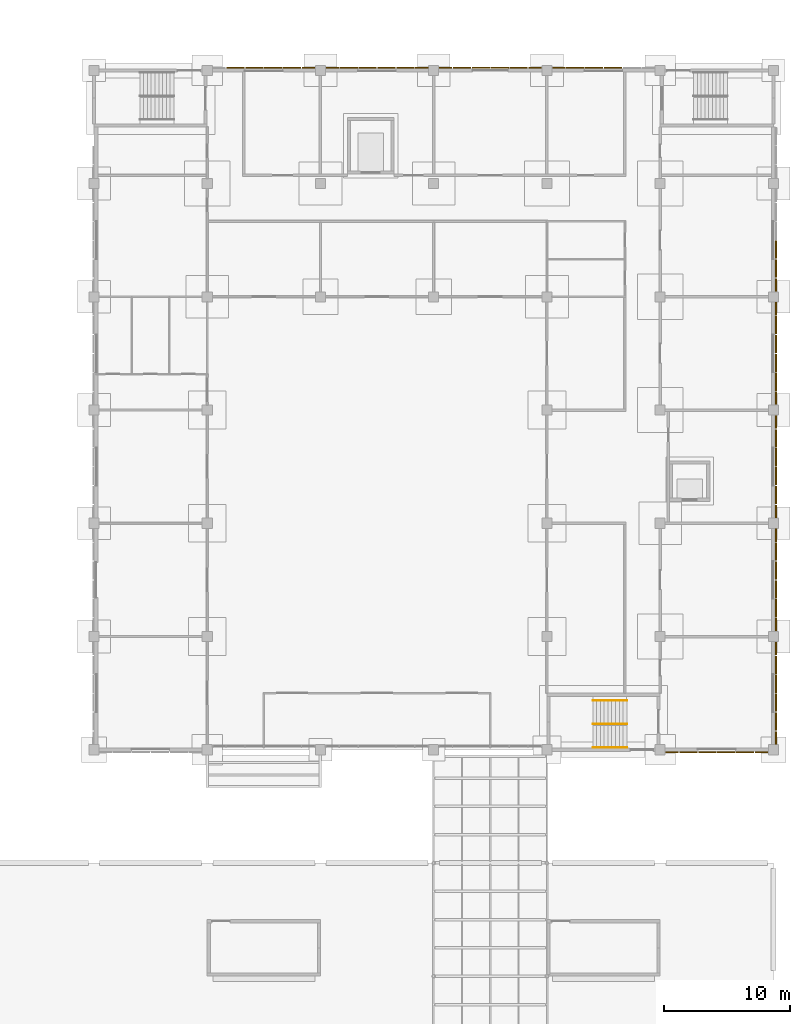
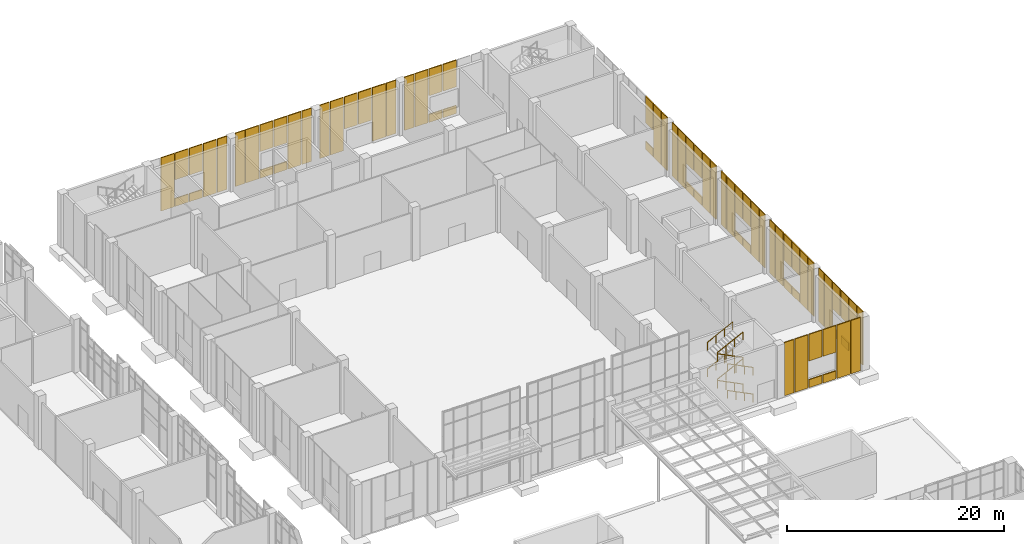
# One storey, part 83 of 86: 71 coverings, 8 railings.
"""IFC4 building model written with IfcOpenShell, lengths in metres."""

from ifc_helpers import new_model, si_unit, direction, frame, origin, origin_2d, place, context, subcontext, project, spatial, rectangle, circle, extrude, material, layer, layer_set, type_object, element, save


model = new_model("IFC4")

# Units and contexts
model_context = context("Model", 3, precision=1e-05, world=origin(), true_north=direction((0.0, 1.0)))
body_context = subcontext(model_context, "Body", "Model", "MODEL_VIEW")
ifc_project = project(units=[si_unit("LENGTHUNIT", "METRE"), si_unit("AREAUNIT", "SQUARE_METRE"), si_unit("VOLUMEUNIT", "CUBIC_METRE"), si_unit("PLANEANGLEUNIT", "RADIAN"), si_unit("MASSUNIT", "GRAM", prefix="KILO")], contexts=[model_context])

# Site, building, storey
site_placement = place(None, origin())
site = spatial("IfcSite", under=ifc_project, at=site_placement, CompositionType="ELEMENT")
building_placement = place(site_placement, origin())
building = spatial("IfcBuilding", under=site, at=building_placement, Name="Guidao Yard Department Store", CompositionType="ELEMENT")
storey_placement = place(building_placement, origin())
storey = spatial("IfcBuildingStorey", under=building, at=storey_placement, Name="L00", CompositionType="ELEMENT", Elevation=0.0)

# Coverings
ifc_material_1 = material(Name="Clinker brick", Category="masonry")
ifc_layer = layer(ifc_material_1, 0.10009765625)
ifc_layer_set = layer_set([ifc_layer], Name="Clinker brick panel BR1 on rainscreen")
covering_type = type_object("IfcCoveringType", Name="Clinker brick panel BR1 on rainscreen", PredefinedType="CLADDING", material=ifc_layer_set)
covering_1_placement = place(storey_placement, frame((162.949951171875, 53.800048828125, 0.0), z_axis=(0.0, 0.0, 1.0), x_axis=(-1.0, 0.0, 0.0)))
element("IfcCovering", 1, at=covering_1_placement, inside=storey, type_object=covering_type, Name="Clinker brick panel", PredefinedType="CLADDING", context=body_context, shape_type="SweptSolid", body=[
    extrude(rectangle(XDim=1.0, YDim=0.10009765625, at=origin_2d()), origin(), (0.0, 0.0, 1.0), 6.0),
])
covering_2_placement = place(storey_placement, frame((164.25, 53.800048828125, 0.0), z_axis=(0.0, 0.0, 1.0), x_axis=(-1.0, 0.0, 0.0)))
element("IfcCovering", 2, at=covering_2_placement, inside=storey, type_object=covering_type, Name="Clinker brick panel", PredefinedType="CLADDING", context=body_context, shape_type="SweptSolid", body=[
    extrude(rectangle(XDim=1.39990234375, YDim=0.10009765625, at=origin_2d()), origin(), (0.0, 0.0, 1.0), 6.0),
])
covering_3_placement = place(storey_placement, frame((165.75, 53.800048828125, 0.0), z_axis=(0.0, 0.0, 1.0), x_axis=(-1.0, 0.0, 0.0)))
element("IfcCovering", 3, at=covering_3_placement, inside=storey, type_object=covering_type, Name="Clinker brick panel", PredefinedType="CLADDING", context=body_context, shape_type="SweptSolid", body=[
    extrude(rectangle(XDim=1.39990234375, YDim=0.10009765625, at=origin_2d()), origin(), (0.0, 0.0, 1.0), 0.89990234375),
])
covering_4_placement = place(storey_placement, frame((165.75, 53.800048828125, 3.0), z_axis=(0.0, 0.0, 1.0), x_axis=(-1.0, 0.0, 0.0)))
element("IfcCovering", 4, at=covering_4_placement, inside=storey, type_object=covering_type, Name="Clinker brick panel", PredefinedType="CLADDING", context=body_context, shape_type="SweptSolid", body=[
    extrude(rectangle(XDim=1.39990234375, YDim=0.10009765625, at=origin_2d()), origin(), (0.0, 0.0, 1.0), 3.0),
])
covering_5_placement = place(storey_placement, frame((167.25, 53.800048828125, 0.0), z_axis=(0.0, 0.0, 1.0), x_axis=(-1.0, 0.0, 0.0)))
element("IfcCovering", 5, at=covering_5_placement, inside=storey, type_object=covering_type, Name="Clinker brick panel", PredefinedType="CLADDING", context=body_context, shape_type="SweptSolid", body=[
    extrude(rectangle(XDim=1.39990234375, YDim=0.10009765625, at=origin_2d()), origin(), (0.0, 0.0, 1.0), 0.89990234375),
])
covering_6_placement = place(storey_placement, frame((167.25, 53.800048828125, 3.0), z_axis=(0.0, 0.0, 1.0), x_axis=(-1.0, 0.0, 0.0)))
element("IfcCovering", 6, at=covering_6_placement, inside=storey, type_object=covering_type, Name="Clinker brick panel", PredefinedType="CLADDING", context=body_context, shape_type="SweptSolid", body=[
    extrude(rectangle(XDim=1.39990234375, YDim=0.10009765625, at=origin_2d()), origin(), (0.0, 0.0, 1.0), 3.0),
])
covering_7_placement = place(storey_placement, frame((168.75, 53.800048828125, 0.0), z_axis=(0.0, 0.0, 1.0), x_axis=(-1.0, 0.0, 0.0)))
element("IfcCovering", 7, at=covering_7_placement, inside=storey, type_object=covering_type, Name="Clinker brick panel", PredefinedType="CLADDING", context=body_context, shape_type="SweptSolid", body=[
    extrude(rectangle(XDim=1.39990234375, YDim=0.10009765625, at=origin_2d()), origin(), (0.0, 0.0, 1.0), 6.0),
])
covering_8_placement = place(storey_placement, frame((170.050048828125, 53.800048828125, 0.0), z_axis=(0.0, 0.0, 1.0), x_axis=(-1.0, 0.0, 0.0)))
element("IfcCovering", 8, at=covering_8_placement, inside=storey, type_object=covering_type, Name="Clinker brick panel", PredefinedType="CLADDING", context=body_context, shape_type="SweptSolid", body=[
    extrude(rectangle(XDim=1.0, YDim=0.10009765625, at=origin_2d()), origin(), (0.0, 0.0, 1.0), 6.0),
])
covering_9_placement = place(storey_placement, frame((128.25, 108.199951171875, 0.0), z_axis=(0.0, 0.0, 1.0), x_axis=(1.0, 0.0, 0.0)))
element("IfcCovering", 9, at=covering_9_placement, inside=storey, type_object=covering_type, Name="Clinker brick panel", PredefinedType="CLADDING", context=body_context, shape_type="SweptSolid", body=[
    extrude(rectangle(XDim=1.39990234375, YDim=0.10009765625, at=origin_2d()), origin(), (0.0, 0.0, 1.0), 6.0),
])
covering_10_placement = place(storey_placement, frame((129.75, 108.199951171875, 0.0), z_axis=(0.0, 0.0, 1.0), x_axis=(1.0, 0.0, 0.0)))
element("IfcCovering", 10, at=covering_10_placement, inside=storey, type_object=covering_type, Name="Clinker brick panel", PredefinedType="CLADDING", context=body_context, shape_type="SweptSolid", body=[
    extrude(rectangle(XDim=1.39990234375, YDim=0.10009765625, at=origin_2d()), origin(), (0.0, 0.0, 1.0), 0.89990234375),
])
covering_11_placement = place(storey_placement, frame((129.75, 108.199951171875, 3.0), z_axis=(0.0, 0.0, 1.0), x_axis=(1.0, 0.0, 0.0)))
element("IfcCovering", 11, at=covering_11_placement, inside=storey, type_object=covering_type, Name="Clinker brick panel", PredefinedType="CLADDING", context=body_context, shape_type="SweptSolid", body=[
    extrude(rectangle(XDim=1.39990234375, YDim=0.10009765625, at=origin_2d()), origin(), (0.0, 0.0, 1.0), 3.0),
])
covering_12_placement = place(storey_placement, frame((131.25, 108.199951171875, 0.0), z_axis=(0.0, 0.0, 1.0), x_axis=(1.0, 0.0, 0.0)))
element("IfcCovering", 12, at=covering_12_placement, inside=storey, type_object=covering_type, Name="Clinker brick panel", PredefinedType="CLADDING", context=body_context, shape_type="SweptSolid", body=[
    extrude(rectangle(XDim=1.39990234375, YDim=0.10009765625, at=origin_2d()), origin(), (0.0, 0.0, 1.0), 0.89990234375),
])
covering_13_placement = place(storey_placement, frame((131.25, 108.199951171875, 3.0), z_axis=(0.0, 0.0, 1.0), x_axis=(1.0, 0.0, 0.0)))
element("IfcCovering", 13, at=covering_13_placement, inside=storey, type_object=covering_type, Name="Clinker brick panel", PredefinedType="CLADDING", context=body_context, shape_type="SweptSolid", body=[
    extrude(rectangle(XDim=1.39990234375, YDim=0.10009765625, at=origin_2d()), origin(), (0.0, 0.0, 1.0), 3.0),
])
covering_14_placement = place(storey_placement, frame((132.75, 108.199951171875, 0.0), z_axis=(0.0, 0.0, 1.0), x_axis=(1.0, 0.0, 0.0)))
element("IfcCovering", 14, at=covering_14_placement, inside=storey, type_object=covering_type, Name="Clinker brick panel", PredefinedType="CLADDING", context=body_context, shape_type="SweptSolid", body=[
    extrude(rectangle(XDim=1.39990234375, YDim=0.10009765625, at=origin_2d()), origin(), (0.0, 0.0, 1.0), 6.0),
])
for number, where, z_axis, x_axis, name in (
    (15, (134.050048828125, 108.199951171875, 0.0), (0.0, 0.0, 1.0), (1.0, 0.0, 0.0), "Clinker brick panel"),
    (16, (135.949951171875, 108.199951171875, 0.0), (0.0, 0.0, 1.0), (1.0, 0.0, 0.0), "Clinker brick panel"),
):
    element("IfcCovering", number, at=place(storey_placement, frame(where, z_axis=z_axis, x_axis=x_axis)), inside=storey, type_object=covering_type, Name=name, PredefinedType="CLADDING", context=body_context, shape_type="SweptSolid", body=[
        extrude(rectangle(XDim=1.0, YDim=0.10009765625, at=origin_2d()), origin(), (0.0, 0.0, 1.0), 6.0),
    ])
covering_15_placement = place(storey_placement, frame((137.25, 108.199951171875, 0.0), z_axis=(0.0, 0.0, 1.0), x_axis=(1.0, 0.0, 0.0)))
element("IfcCovering", 17, at=covering_15_placement, inside=storey, type_object=covering_type, Name="Clinker brick panel", PredefinedType="CLADDING", context=body_context, shape_type="SweptSolid", body=[
    extrude(rectangle(XDim=1.39990234375, YDim=0.10009765625, at=origin_2d()), origin(), (0.0, 0.0, 1.0), 6.0),
])
covering_16_placement = place(storey_placement, frame((138.75, 108.199951171875, 0.0), z_axis=(0.0, 0.0, 1.0), x_axis=(1.0, 0.0, 0.0)))
element("IfcCovering", 18, at=covering_16_placement, inside=storey, type_object=covering_type, Name="Clinker brick panel", PredefinedType="CLADDING", context=body_context, shape_type="SweptSolid", body=[
    extrude(rectangle(XDim=1.39990234375, YDim=0.10009765625, at=origin_2d()), origin(), (0.0, 0.0, 1.0), 0.89990234375),
])
covering_17_placement = place(storey_placement, frame((138.75, 108.199951171875, 3.0), z_axis=(0.0, 0.0, 1.0), x_axis=(1.0, 0.0, 0.0)))
element("IfcCovering", 19, at=covering_17_placement, inside=storey, type_object=covering_type, Name="Clinker brick panel", PredefinedType="CLADDING", context=body_context, shape_type="SweptSolid", body=[
    extrude(rectangle(XDim=1.39990234375, YDim=0.10009765625, at=origin_2d()), origin(), (0.0, 0.0, 1.0), 3.0),
])
covering_18_placement = place(storey_placement, frame((140.25, 108.199951171875, 0.0), z_axis=(0.0, 0.0, 1.0), x_axis=(1.0, 0.0, 0.0)))
element("IfcCovering", 20, at=covering_18_placement, inside=storey, type_object=covering_type, Name="Clinker brick panel", PredefinedType="CLADDING", context=body_context, shape_type="SweptSolid", body=[
    extrude(rectangle(XDim=1.39990234375, YDim=0.10009765625, at=origin_2d()), origin(), (0.0, 0.0, 1.0), 0.89990234375),
])
covering_19_placement = place(storey_placement, frame((140.25, 108.199951171875, 3.0), z_axis=(0.0, 0.0, 1.0), x_axis=(1.0, 0.0, 0.0)))
element("IfcCovering", 21, at=covering_19_placement, inside=storey, type_object=covering_type, Name="Clinker brick panel", PredefinedType="CLADDING", context=body_context, shape_type="SweptSolid", body=[
    extrude(rectangle(XDim=1.39990234375, YDim=0.10009765625, at=origin_2d()), origin(), (0.0, 0.0, 1.0), 3.0),
])
covering_20_placement = place(storey_placement, frame((141.75, 108.199951171875, 0.0), z_axis=(0.0, 0.0, 1.0), x_axis=(1.0, 0.0, 0.0)))
element("IfcCovering", 22, at=covering_20_placement, inside=storey, type_object=covering_type, Name="Clinker brick panel", PredefinedType="CLADDING", context=body_context, shape_type="SweptSolid", body=[
    extrude(rectangle(XDim=1.39990234375, YDim=0.10009765625, at=origin_2d()), origin(), (0.0, 0.0, 1.0), 6.0),
])
for number, where, z_axis, x_axis, name in (
    (23, (143.050048828125, 108.199951171875, 0.0), (0.0, 0.0, 1.0), (1.0, 0.0, 0.0), "Clinker brick panel"),
    (24, (144.949951171875, 108.199951171875, 0.0), (0.0, 0.0, 1.0), (1.0, 0.0, 0.0), "Clinker brick panel"),
):
    element("IfcCovering", number, at=place(storey_placement, frame(where, z_axis=z_axis, x_axis=x_axis)), inside=storey, type_object=covering_type, Name=name, PredefinedType="CLADDING", context=body_context, shape_type="SweptSolid", body=[
        extrude(rectangle(XDim=1.0, YDim=0.10009765625, at=origin_2d()), origin(), (0.0, 0.0, 1.0), 6.0),
    ])
covering_21_placement = place(storey_placement, frame((146.25, 108.199951171875, 0.0), z_axis=(0.0, 0.0, 1.0), x_axis=(1.0, 0.0, 0.0)))
element("IfcCovering", 25, at=covering_21_placement, inside=storey, type_object=covering_type, Name="Clinker brick panel", PredefinedType="CLADDING", context=body_context, shape_type="SweptSolid", body=[
    extrude(rectangle(XDim=1.39990234375, YDim=0.10009765625, at=origin_2d()), origin(), (0.0, 0.0, 1.0), 6.0),
])
for number, where, z_axis, x_axis, name in (
    (26, (147.75, 108.199951171875, 2.39990234375), (0.0, 0.0, 1.0), (1.0, 0.0, 0.0), "Clinker brick panel"),
    (27, (149.25, 108.199951171875, 2.39990234375), (0.0, 0.0, 1.0), (1.0, 0.0, 0.0), "Clinker brick panel"),
):
    element("IfcCovering", number, at=place(storey_placement, frame(where, z_axis=z_axis, x_axis=x_axis)), inside=storey, type_object=covering_type, Name=name, PredefinedType="CLADDING", context=body_context, shape_type="SweptSolid", body=[
        extrude(rectangle(XDim=1.39990234375, YDim=0.10009765625, at=origin_2d()), origin(), (0.0, 0.0, 1.0), 3.60009765625),
    ])
covering_22_placement = place(storey_placement, frame((150.75, 108.199951171875, 0.0), z_axis=(0.0, 0.0, 1.0), x_axis=(1.0, 0.0, 0.0)))
element("IfcCovering", 28, at=covering_22_placement, inside=storey, type_object=covering_type, Name="Clinker brick panel", PredefinedType="CLADDING", context=body_context, shape_type="SweptSolid", body=[
    extrude(rectangle(XDim=1.39990234375, YDim=0.10009765625, at=origin_2d()), origin(), (0.0, 0.0, 1.0), 6.0),
])
for number, where, z_axis, x_axis, name in (
    (29, (152.050048828125, 108.199951171875, 0.0), (0.0, 0.0, 1.0), (1.0, 0.0, 0.0), "Clinker brick panel"),
    (30, (153.949951171875, 108.199951171875, 0.0), (0.0, 0.0, 1.0), (1.0, 0.0, 0.0), "Clinker brick panel"),
):
    element("IfcCovering", number, at=place(storey_placement, frame(where, z_axis=z_axis, x_axis=x_axis)), inside=storey, type_object=covering_type, Name=name, PredefinedType="CLADDING", context=body_context, shape_type="SweptSolid", body=[
        extrude(rectangle(XDim=1.0, YDim=0.10009765625, at=origin_2d()), origin(), (0.0, 0.0, 1.0), 6.0),
    ])
covering_23_placement = place(storey_placement, frame((155.25, 108.199951171875, 0.0), z_axis=(0.0, 0.0, 1.0), x_axis=(1.0, 0.0, 0.0)))
element("IfcCovering", 31, at=covering_23_placement, inside=storey, type_object=covering_type, Name="Clinker brick panel", PredefinedType="CLADDING", context=body_context, shape_type="SweptSolid", body=[
    extrude(rectangle(XDim=1.39990234375, YDim=0.10009765625, at=origin_2d()), origin(), (0.0, 0.0, 1.0), 6.0),
])
covering_24_placement = place(storey_placement, frame((156.75, 108.199951171875, 0.0), z_axis=(0.0, 0.0, 1.0), x_axis=(1.0, 0.0, 0.0)))
element("IfcCovering", 32, at=covering_24_placement, inside=storey, type_object=covering_type, Name="Clinker brick panel", PredefinedType="CLADDING", context=body_context, shape_type="SweptSolid", body=[
    extrude(rectangle(XDim=1.39990234375, YDim=0.10009765625, at=origin_2d()), origin(), (0.0, 0.0, 1.0), 0.89990234375),
])
covering_25_placement = place(storey_placement, frame((156.75, 108.199951171875, 3.0), z_axis=(0.0, 0.0, 1.0), x_axis=(1.0, 0.0, 0.0)))
element("IfcCovering", 33, at=covering_25_placement, inside=storey, type_object=covering_type, Name="Clinker brick panel", PredefinedType="CLADDING", context=body_context, shape_type="SweptSolid", body=[
    extrude(rectangle(XDim=1.39990234375, YDim=0.10009765625, at=origin_2d()), origin(), (0.0, 0.0, 1.0), 3.0),
])
covering_26_placement = place(storey_placement, frame((158.25, 108.199951171875, 0.0), z_axis=(0.0, 0.0, 1.0), x_axis=(1.0, 0.0, 0.0)))
element("IfcCovering", 34, at=covering_26_placement, inside=storey, type_object=covering_type, Name="Clinker brick panel", PredefinedType="CLADDING", context=body_context, shape_type="SweptSolid", body=[
    extrude(rectangle(XDim=1.39990234375, YDim=0.10009765625, at=origin_2d()), origin(), (0.0, 0.0, 1.0), 0.89990234375),
])
covering_27_placement = place(storey_placement, frame((158.25, 108.199951171875, 3.0), z_axis=(0.0, 0.0, 1.0), x_axis=(1.0, 0.0, 0.0)))
element("IfcCovering", 35, at=covering_27_placement, inside=storey, type_object=covering_type, Name="Clinker brick panel", PredefinedType="CLADDING", context=body_context, shape_type="SweptSolid", body=[
    extrude(rectangle(XDim=1.39990234375, YDim=0.10009765625, at=origin_2d()), origin(), (0.0, 0.0, 1.0), 3.0),
])
covering_28_placement = place(storey_placement, frame((171.199951171875, 54.949951171875, 0.0), z_axis=(0.0, 0.0, 1.0), x_axis=(0.0, -1.0, 0.0)))
element("IfcCovering", 36, at=covering_28_placement, inside=storey, type_object=covering_type, Name="Clinker brick panel", PredefinedType="CLADDING", context=body_context, shape_type="SweptSolid", body=[
    extrude(rectangle(XDim=1.0, YDim=0.10009765625, at=origin_2d()), origin(), (0.0, 0.0, 1.0), 6.0),
])
covering_29_placement = place(storey_placement, frame((171.199951171875, 56.25, 0.0), z_axis=(0.0, 0.0, 1.0), x_axis=(0.0, -1.0, 0.0)))
element("IfcCovering", 37, at=covering_29_placement, inside=storey, type_object=covering_type, Name="Clinker brick panel", PredefinedType="CLADDING", context=body_context, shape_type="SweptSolid", body=[
    extrude(rectangle(XDim=1.39990234375, YDim=0.10009765625, at=origin_2d()), origin(), (0.0, 0.0, 1.0), 6.0),
])
covering_30_placement = place(storey_placement, frame((171.199951171875, 57.75, 0.0), z_axis=(0.0, 0.0, 1.0), x_axis=(0.0, -1.0, 0.0)))
element("IfcCovering", 38, at=covering_30_placement, inside=storey, type_object=covering_type, Name="Clinker brick panel", PredefinedType="CLADDING", context=body_context, shape_type="SweptSolid", body=[
    extrude(rectangle(XDim=1.39990234375, YDim=0.10009765625, at=origin_2d()), origin(), (0.0, 0.0, 1.0), 0.89990234375),
])
covering_31_placement = place(storey_placement, frame((171.199951171875, 57.75, 3.0), z_axis=(0.0, 0.0, 1.0), x_axis=(0.0, -1.0, 0.0)))
element("IfcCovering", 39, at=covering_31_placement, inside=storey, type_object=covering_type, Name="Clinker brick panel", PredefinedType="CLADDING", context=body_context, shape_type="SweptSolid", body=[
    extrude(rectangle(XDim=1.39990234375, YDim=0.10009765625, at=origin_2d()), origin(), (0.0, 0.0, 1.0), 3.0),
])
covering_32_placement = place(storey_placement, frame((171.199951171875, 59.25, 0.0), z_axis=(0.0, 0.0, 1.0), x_axis=(0.0, -1.0, 0.0)))
element("IfcCovering", 40, at=covering_32_placement, inside=storey, type_object=covering_type, Name="Clinker brick panel", PredefinedType="CLADDING", context=body_context, shape_type="SweptSolid", body=[
    extrude(rectangle(XDim=1.39990234375, YDim=0.10009765625, at=origin_2d()), origin(), (0.0, 0.0, 1.0), 0.89990234375),
])
covering_33_placement = place(storey_placement, frame((171.199951171875, 59.25, 3.0), z_axis=(0.0, 0.0, 1.0), x_axis=(0.0, -1.0, 0.0)))
element("IfcCovering", 41, at=covering_33_placement, inside=storey, type_object=covering_type, Name="Clinker brick panel", PredefinedType="CLADDING", context=body_context, shape_type="SweptSolid", body=[
    extrude(rectangle(XDim=1.39990234375, YDim=0.10009765625, at=origin_2d()), origin(), (0.0, 0.0, 1.0), 3.0),
])
covering_34_placement = place(storey_placement, frame((171.199951171875, 60.75, 0.0), z_axis=(0.0, 0.0, 1.0), x_axis=(0.0, -1.0, 0.0)))
element("IfcCovering", 42, at=covering_34_placement, inside=storey, type_object=covering_type, Name="Clinker brick panel", PredefinedType="CLADDING", context=body_context, shape_type="SweptSolid", body=[
    extrude(rectangle(XDim=1.39990234375, YDim=0.10009765625, at=origin_2d()), origin(), (0.0, 0.0, 1.0), 6.0),
])
for number, where, z_axis, x_axis, name in (
    (43, (171.199951171875, 62.050048828125, 0.0), (0.0, 0.0, 1.0), (0.0, -1.0, 0.0), "Clinker brick panel"),
    (44, (171.199951171875, 63.949951171875, 0.0), (0.0, 0.0, 1.0), (0.0, -1.0, 0.0), "Clinker brick panel"),
):
    element("IfcCovering", number, at=place(storey_placement, frame(where, z_axis=z_axis, x_axis=x_axis)), inside=storey, type_object=covering_type, Name=name, PredefinedType="CLADDING", context=body_context, shape_type="SweptSolid", body=[
        extrude(rectangle(XDim=1.0, YDim=0.10009765625, at=origin_2d()), origin(), (0.0, 0.0, 1.0), 6.0),
    ])
covering_35_placement = place(storey_placement, frame((171.199951171875, 65.25, 0.0), z_axis=(0.0, 0.0, 1.0), x_axis=(0.0, -1.0, 0.0)))
element("IfcCovering", 45, at=covering_35_placement, inside=storey, type_object=covering_type, Name="Clinker brick panel", PredefinedType="CLADDING", context=body_context, shape_type="SweptSolid", body=[
    extrude(rectangle(XDim=1.39990234375, YDim=0.10009765625, at=origin_2d()), origin(), (0.0, 0.0, 1.0), 6.0),
])
covering_36_placement = place(storey_placement, frame((171.199951171875, 66.75, 0.0), z_axis=(0.0, 0.0, 1.0), x_axis=(0.0, -1.0, 0.0)))
element("IfcCovering", 46, at=covering_36_placement, inside=storey, type_object=covering_type, Name="Clinker brick panel", PredefinedType="CLADDING", context=body_context, shape_type="SweptSolid", body=[
    extrude(rectangle(XDim=1.39990234375, YDim=0.10009765625, at=origin_2d()), origin(), (0.0, 0.0, 1.0), 0.89990234375),
])
covering_37_placement = place(storey_placement, frame((171.199951171875, 66.75, 3.0), z_axis=(0.0, 0.0, 1.0), x_axis=(0.0, -1.0, 0.0)))
element("IfcCovering", 47, at=covering_37_placement, inside=storey, type_object=covering_type, Name="Clinker brick panel", PredefinedType="CLADDING", context=body_context, shape_type="SweptSolid", body=[
    extrude(rectangle(XDim=1.39990234375, YDim=0.10009765625, at=origin_2d()), origin(), (0.0, 0.0, 1.0), 3.0),
])
covering_38_placement = place(storey_placement, frame((171.199951171875, 68.25, 0.0), z_axis=(0.0, 0.0, 1.0), x_axis=(0.0, -1.0, 0.0)))
element("IfcCovering", 48, at=covering_38_placement, inside=storey, type_object=covering_type, Name="Clinker brick panel", PredefinedType="CLADDING", context=body_context, shape_type="SweptSolid", body=[
    extrude(rectangle(XDim=1.39990234375, YDim=0.10009765625, at=origin_2d()), origin(), (0.0, 0.0, 1.0), 0.89990234375),
])
covering_39_placement = place(storey_placement, frame((171.199951171875, 68.25, 3.0), z_axis=(0.0, 0.0, 1.0), x_axis=(0.0, -1.0, 0.0)))
element("IfcCovering", 49, at=covering_39_placement, inside=storey, type_object=covering_type, Name="Clinker brick panel", PredefinedType="CLADDING", context=body_context, shape_type="SweptSolid", body=[
    extrude(rectangle(XDim=1.39990234375, YDim=0.10009765625, at=origin_2d()), origin(), (0.0, 0.0, 1.0), 3.0),
])
covering_40_placement = place(storey_placement, frame((171.199951171875, 69.75, 0.0), z_axis=(0.0, 0.0, 1.0), x_axis=(0.0, -1.0, 0.0)))
element("IfcCovering", 50, at=covering_40_placement, inside=storey, type_object=covering_type, Name="Clinker brick panel", PredefinedType="CLADDING", context=body_context, shape_type="SweptSolid", body=[
    extrude(rectangle(XDim=1.39990234375, YDim=0.10009765625, at=origin_2d()), origin(), (0.0, 0.0, 1.0), 6.0),
])
for number, where, z_axis, x_axis, name in (
    (51, (171.199951171875, 71.050048828125, 0.0), (0.0, 0.0, 1.0), (0.0, -1.0, 0.0), "Clinker brick panel"),
    (52, (171.199951171875, 72.949951171875, 0.0), (0.0, 0.0, 1.0), (0.0, -1.0, 0.0), "Clinker brick panel"),
):
    element("IfcCovering", number, at=place(storey_placement, frame(where, z_axis=z_axis, x_axis=x_axis)), inside=storey, type_object=covering_type, Name=name, PredefinedType="CLADDING", context=body_context, shape_type="SweptSolid", body=[
        extrude(rectangle(XDim=1.0, YDim=0.10009765625, at=origin_2d()), origin(), (0.0, 0.0, 1.0), 6.0),
    ])
covering_41_placement = place(storey_placement, frame((171.199951171875, 74.25, 0.0), z_axis=(0.0, 0.0, 1.0), x_axis=(0.0, -1.0, 0.0)))
element("IfcCovering", 53, at=covering_41_placement, inside=storey, type_object=covering_type, Name="Clinker brick panel", PredefinedType="CLADDING", context=body_context, shape_type="SweptSolid", body=[
    extrude(rectangle(XDim=1.39990234375, YDim=0.10009765625, at=origin_2d()), origin(), (0.0, 0.0, 1.0), 6.0),
])
covering_42_placement = place(storey_placement, frame((171.199951171875, 75.75, 0.0), z_axis=(0.0, 0.0, 1.0), x_axis=(0.0, -1.0, 0.0)))
element("IfcCovering", 54, at=covering_42_placement, inside=storey, type_object=covering_type, Name="Clinker brick panel", PredefinedType="CLADDING", context=body_context, shape_type="SweptSolid", body=[
    extrude(rectangle(XDim=1.39990234375, YDim=0.10009765625, at=origin_2d()), origin(), (0.0, 0.0, 1.0), 0.89990234375),
])
covering_43_placement = place(storey_placement, frame((171.199951171875, 75.75, 3.0), z_axis=(0.0, 0.0, 1.0), x_axis=(0.0, -1.0, 0.0)))
element("IfcCovering", 55, at=covering_43_placement, inside=storey, type_object=covering_type, Name="Clinker brick panel", PredefinedType="CLADDING", context=body_context, shape_type="SweptSolid", body=[
    extrude(rectangle(XDim=1.39990234375, YDim=0.10009765625, at=origin_2d()), origin(), (0.0, 0.0, 1.0), 3.0),
])
covering_44_placement = place(storey_placement, frame((171.199951171875, 77.25, 0.0), z_axis=(0.0, 0.0, 1.0), x_axis=(0.0, -1.0, 0.0)))
element("IfcCovering", 56, at=covering_44_placement, inside=storey, type_object=covering_type, Name="Clinker brick panel", PredefinedType="CLADDING", context=body_context, shape_type="SweptSolid", body=[
    extrude(rectangle(XDim=1.39990234375, YDim=0.10009765625, at=origin_2d()), origin(), (0.0, 0.0, 1.0), 0.89990234375),
])
covering_45_placement = place(storey_placement, frame((171.199951171875, 77.25, 3.0), z_axis=(0.0, 0.0, 1.0), x_axis=(0.0, -1.0, 0.0)))
element("IfcCovering", 57, at=covering_45_placement, inside=storey, type_object=covering_type, Name="Clinker brick panel", PredefinedType="CLADDING", context=body_context, shape_type="SweptSolid", body=[
    extrude(rectangle(XDim=1.39990234375, YDim=0.10009765625, at=origin_2d()), origin(), (0.0, 0.0, 1.0), 3.0),
])
covering_46_placement = place(storey_placement, frame((171.199951171875, 78.75, 0.0), z_axis=(0.0, 0.0, 1.0), x_axis=(0.0, -1.0, 0.0)))
element("IfcCovering", 58, at=covering_46_placement, inside=storey, type_object=covering_type, Name="Clinker brick panel", PredefinedType="CLADDING", context=body_context, shape_type="SweptSolid", body=[
    extrude(rectangle(XDim=1.39990234375, YDim=0.10009765625, at=origin_2d()), origin(), (0.0, 0.0, 1.0), 6.0),
])
for number, where, z_axis, x_axis, name in (
    (59, (171.199951171875, 80.050048828125, 0.0), (0.0, 0.0, 1.0), (0.0, -1.0, 0.0), "Clinker brick panel"),
    (60, (171.199951171875, 81.949951171875, 0.0), (0.0, 0.0, 1.0), (0.0, -1.0, 0.0), "Clinker brick panel"),
):
    element("IfcCovering", number, at=place(storey_placement, frame(where, z_axis=z_axis, x_axis=x_axis)), inside=storey, type_object=covering_type, Name=name, PredefinedType="CLADDING", context=body_context, shape_type="SweptSolid", body=[
        extrude(rectangle(XDim=1.0, YDim=0.10009765625, at=origin_2d()), origin(), (0.0, 0.0, 1.0), 6.0),
    ])
covering_47_placement = place(storey_placement, frame((171.199951171875, 83.25, 0.0), z_axis=(0.0, 0.0, 1.0), x_axis=(0.0, -1.0, 0.0)))
element("IfcCovering", 61, at=covering_47_placement, inside=storey, type_object=covering_type, Name="Clinker brick panel", PredefinedType="CLADDING", context=body_context, shape_type="SweptSolid", body=[
    extrude(rectangle(XDim=1.39990234375, YDim=0.10009765625, at=origin_2d()), origin(), (0.0, 0.0, 1.0), 6.0),
])
covering_48_placement = place(storey_placement, frame((171.199951171875, 84.75, 0.0), z_axis=(0.0, 0.0, 1.0), x_axis=(0.0, -1.0, 0.0)))
element("IfcCovering", 62, at=covering_48_placement, inside=storey, type_object=covering_type, Name="Clinker brick panel", PredefinedType="CLADDING", context=body_context, shape_type="SweptSolid", body=[
    extrude(rectangle(XDim=1.39990234375, YDim=0.10009765625, at=origin_2d()), origin(), (0.0, 0.0, 1.0), 0.89990234375),
])
covering_49_placement = place(storey_placement, frame((171.199951171875, 84.75, 3.0), z_axis=(0.0, 0.0, 1.0), x_axis=(0.0, -1.0, 0.0)))
element("IfcCovering", 63, at=covering_49_placement, inside=storey, type_object=covering_type, Name="Clinker brick panel", PredefinedType="CLADDING", context=body_context, shape_type="SweptSolid", body=[
    extrude(rectangle(XDim=1.39990234375, YDim=0.10009765625, at=origin_2d()), origin(), (0.0, 0.0, 1.0), 3.0),
])
covering_50_placement = place(storey_placement, frame((171.199951171875, 86.25, 0.0), z_axis=(0.0, 0.0, 1.0), x_axis=(0.0, -1.0, 0.0)))
element("IfcCovering", 64, at=covering_50_placement, inside=storey, type_object=covering_type, Name="Clinker brick panel", PredefinedType="CLADDING", context=body_context, shape_type="SweptSolid", body=[
    extrude(rectangle(XDim=1.39990234375, YDim=0.10009765625, at=origin_2d()), origin(), (0.0, 0.0, 1.0), 0.89990234375),
])
covering_51_placement = place(storey_placement, frame((171.199951171875, 86.25, 3.0), z_axis=(0.0, 0.0, 1.0), x_axis=(0.0, -1.0, 0.0)))
element("IfcCovering", 65, at=covering_51_placement, inside=storey, type_object=covering_type, Name="Clinker brick panel", PredefinedType="CLADDING", context=body_context, shape_type="SweptSolid", body=[
    extrude(rectangle(XDim=1.39990234375, YDim=0.10009765625, at=origin_2d()), origin(), (0.0, 0.0, 1.0), 3.0),
])
covering_52_placement = place(storey_placement, frame((171.199951171875, 87.75, 0.0), z_axis=(0.0, 0.0, 1.0), x_axis=(0.0, -1.0, 0.0)))
element("IfcCovering", 66, at=covering_52_placement, inside=storey, type_object=covering_type, Name="Clinker brick panel", PredefinedType="CLADDING", context=body_context, shape_type="SweptSolid", body=[
    extrude(rectangle(XDim=1.39990234375, YDim=0.10009765625, at=origin_2d()), origin(), (0.0, 0.0, 1.0), 6.0),
])
for number, where, z_axis, x_axis, name in (
    (67, (171.199951171875, 89.050048828125, 0.0), (0.0, 0.0, 1.0), (0.0, -1.0, 0.0), "Clinker brick panel"),
    (68, (171.199951171875, 90.949951171875, 0.0), (0.0, 0.0, 1.0), (0.0, -1.0, 0.0), "Clinker brick panel"),
):
    element("IfcCovering", number, at=place(storey_placement, frame(where, z_axis=z_axis, x_axis=x_axis)), inside=storey, type_object=covering_type, Name=name, PredefinedType="CLADDING", context=body_context, shape_type="SweptSolid", body=[
        extrude(rectangle(XDim=1.0, YDim=0.10009765625, at=origin_2d()), origin(), (0.0, 0.0, 1.0), 6.0),
    ])
covering_53_placement = place(storey_placement, frame((171.199951171875, 92.25, 0.0), z_axis=(0.0, 0.0, 1.0), x_axis=(0.0, -1.0, 0.0)))
element("IfcCovering", 69, at=covering_53_placement, inside=storey, type_object=covering_type, Name="Clinker brick panel", PredefinedType="CLADDING", context=body_context, shape_type="SweptSolid", body=[
    extrude(rectangle(XDim=1.39990234375, YDim=0.10009765625, at=origin_2d()), origin(), (0.0, 0.0, 1.0), 6.0),
])
covering_54_placement = place(storey_placement, frame((171.199951171875, 93.75, 0.0), z_axis=(0.0, 0.0, 1.0), x_axis=(0.0, -1.0, 0.0)))
element("IfcCovering", 70, at=covering_54_placement, inside=storey, type_object=covering_type, Name="Clinker brick panel", PredefinedType="CLADDING", context=body_context, shape_type="SweptSolid", body=[
    extrude(rectangle(XDim=1.39990234375, YDim=0.10009765625, at=origin_2d()), origin(), (0.0, 0.0, 1.0), 0.89990234375),
])
covering_55_placement = place(storey_placement, frame((171.199951171875, 93.75, 3.0), z_axis=(0.0, 0.0, 1.0), x_axis=(0.0, -1.0, 0.0)))
element("IfcCovering", 71, at=covering_55_placement, inside=storey, type_object=covering_type, Name="Clinker brick panel", PredefinedType="CLADDING", context=body_context, shape_type="SweptSolid", body=[
    extrude(rectangle(XDim=1.39990234375, YDim=0.10009765625, at=origin_2d()), origin(), (0.0, 0.0, 1.0), 3.0),
])

# Railings
ifc_material_2 = material(Name="Steel Q235", Category="steel")
railing_type = type_object("IfcRailingType", Name="Handrail steel tube 48", PredefinedType="HANDRAIL", material=ifc_material_2)
for number, where, name in (
    (72, (159.35009765625, 54.18505859375, 0.14990234375), "Stair F1 hand rail L00 57"),
    (73, (159.35009765625, 56.050048828125, 0.14990234375), "Stair F1 hand rail L00 58"),
):
    element("IfcRailing", number, at=place(storey_placement, frame(where)), inside=storey, type_object=railing_type, Name=name, PredefinedType="HANDRAIL", context=body_context, shape_type="SweptSolid", body=[
        extrude(circle(Radius=0.02392578125, at=origin_2d()), frame((0.0, 0.0, 0.8759765625), z_axis=(-0.894427191, 0.0, 0.4472135955), x_axis=(0.0, -1.0, 0.0)), (0.0, 0.0, 1.0), 3.018798828125),
        extrude(circle(Radius=0.02099609375, at=origin_2d()), origin(), (0.0, 0.0, 1.0), 0.851806640625),
        extrude(circle(Radius=0.02099609375, at=origin_2d()), frame((-0.900146484375, 0.0, 0.449951171875)), (0.0, 0.0, 1.0), 0.851806640625),
        extrude(circle(Radius=0.02099609375, at=origin_2d()), frame((-1.800048828125, 0.0, 0.900146484375)), (0.0, 0.0, 1.0), 0.851806640625),
        extrude(circle(Radius=0.02099609375, at=origin_2d()), frame((-2.7001953125, 0.0, 1.35009765625)), (0.0, 0.0, 1.0), 0.851806640625),
    ])
for number, where, name in (
    (74, (156.64990234375, 57.9150390625, 1.64990234375), "Stair F1 hand rail L00 59"),
    (75, (156.64990234375, 56.050048828125, 1.64990234375), "Stair F1 hand rail L00 60"),
):
    element("IfcRailing", number, at=place(storey_placement, frame(where)), inside=storey, type_object=railing_type, Name=name, PredefinedType="HANDRAIL", context=body_context, shape_type="SweptSolid", body=[
        extrude(circle(Radius=0.02392578125, at=origin_2d()), frame((0.0, 0.0, 0.8759765625), z_axis=(0.894427191, 0.0, 0.4472135955), x_axis=(0.0, 1.0, 0.0)), (0.0, 0.0, 1.0), 3.018798828125),
        extrude(circle(Radius=0.02099609375, at=origin_2d()), origin(), (0.0, 0.0, 1.0), 0.851806640625),
        extrude(circle(Radius=0.02099609375, at=origin_2d()), frame((0.900146484375, 0.0, 0.449951171875)), (0.0, 0.0, 1.0), 0.851806640625),
        extrude(circle(Radius=0.02099609375, at=origin_2d()), frame((1.800048828125, 0.0, 0.900146484375)), (0.0, 0.0, 1.0), 0.851806640625),
        extrude(circle(Radius=0.02099609375, at=origin_2d()), frame((2.7001953125, 0.0, 1.35009765625)), (0.0, 0.0, 1.0), 0.851806640625),
    ])
for number, where, name in (
    (76, (159.35009765625, 54.18505859375, 3.14990234375), "Stair F1 hand rail L00 61"),
    (77, (159.35009765625, 56.050048828125, 3.14990234375), "Stair F1 hand rail L00 62"),
):
    element("IfcRailing", number, at=place(storey_placement, frame(where)), inside=storey, type_object=railing_type, Name=name, PredefinedType="HANDRAIL", context=body_context, shape_type="SweptSolid", body=[
        extrude(circle(Radius=0.02392578125, at=origin_2d()), frame((0.0, 0.0, 0.8759765625), z_axis=(-0.894427191, 0.0, 0.4472135955), x_axis=(0.0, -1.0, 0.0)), (0.0, 0.0, 1.0), 3.018798828125),
        extrude(circle(Radius=0.02099609375, at=origin_2d()), origin(), (0.0, 0.0, 1.0), 0.851806640625),
        extrude(circle(Radius=0.02099609375, at=origin_2d()), frame((-0.900146484375, 0.0, 0.449951171875)), (0.0, 0.0, 1.0), 0.851806640625),
        extrude(circle(Radius=0.02099609375, at=origin_2d()), frame((-1.800048828125, 0.0, 0.900146484375)), (0.0, 0.0, 1.0), 0.851806640625),
        extrude(circle(Radius=0.02099609375, at=origin_2d()), frame((-2.7001953125, 0.0, 1.35009765625)), (0.0, 0.0, 1.0), 0.851806640625),
    ])
for number, where, name in (
    (78, (156.64990234375, 57.9150390625, 4.64990234375), "Stair F1 hand rail L00 63"),
    (79, (156.64990234375, 56.050048828125, 4.64990234375), "Stair F1 hand rail L00 64"),
):
    element("IfcRailing", number, at=place(storey_placement, frame(where)), inside=storey, type_object=railing_type, Name=name, PredefinedType="HANDRAIL", context=body_context, shape_type="SweptSolid", body=[
        extrude(circle(Radius=0.02392578125, at=origin_2d()), frame((0.0, 0.0, 0.8759765625), z_axis=(0.894427191, 0.0, 0.4472135955), x_axis=(0.0, 1.0, 0.0)), (0.0, 0.0, 1.0), 3.018798828125),
        extrude(circle(Radius=0.02099609375, at=origin_2d()), origin(), (0.0, 0.0, 1.0), 0.851806640625),
        extrude(circle(Radius=0.02099609375, at=origin_2d()), frame((0.900146484375, 0.0, 0.449951171875)), (0.0, 0.0, 1.0), 0.851806640625),
        extrude(circle(Radius=0.02099609375, at=origin_2d()), frame((1.800048828125, 0.0, 0.900146484375)), (0.0, 0.0, 1.0), 0.851806640625),
        extrude(circle(Radius=0.02099609375, at=origin_2d()), frame((2.7001953125, 0.0, 1.35009765625)), (0.0, 0.0, 1.0), 0.851806640625),
    ])

save(model, "model.ifc")
